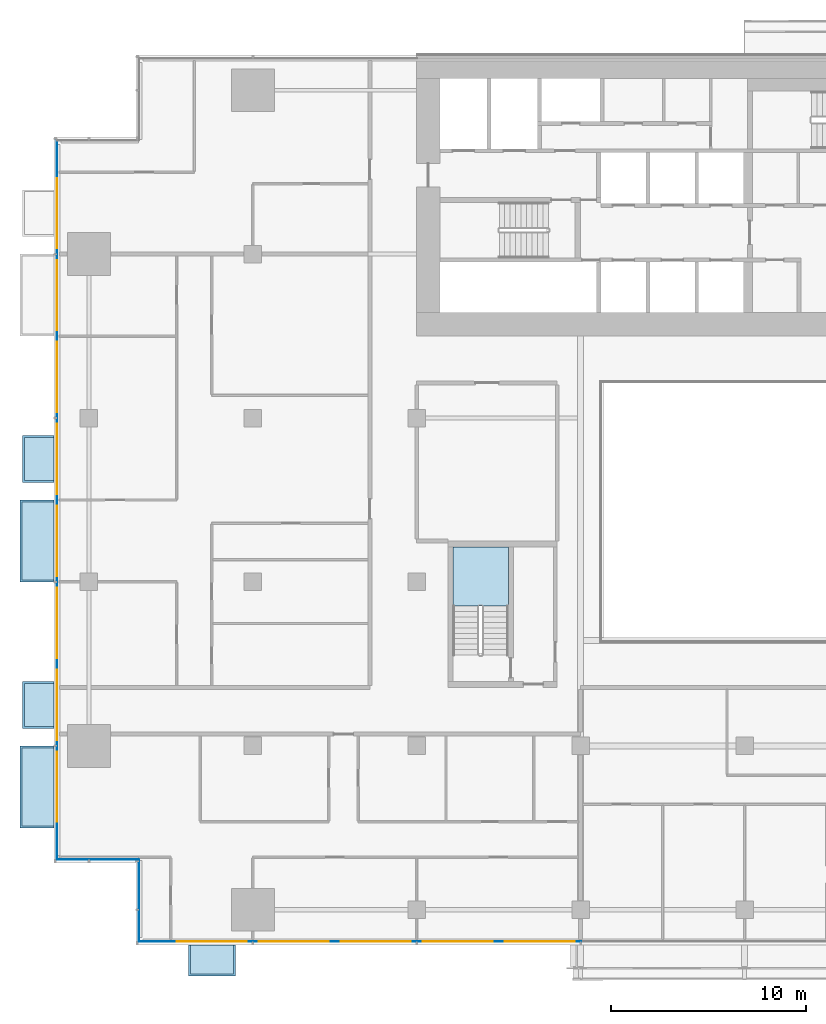
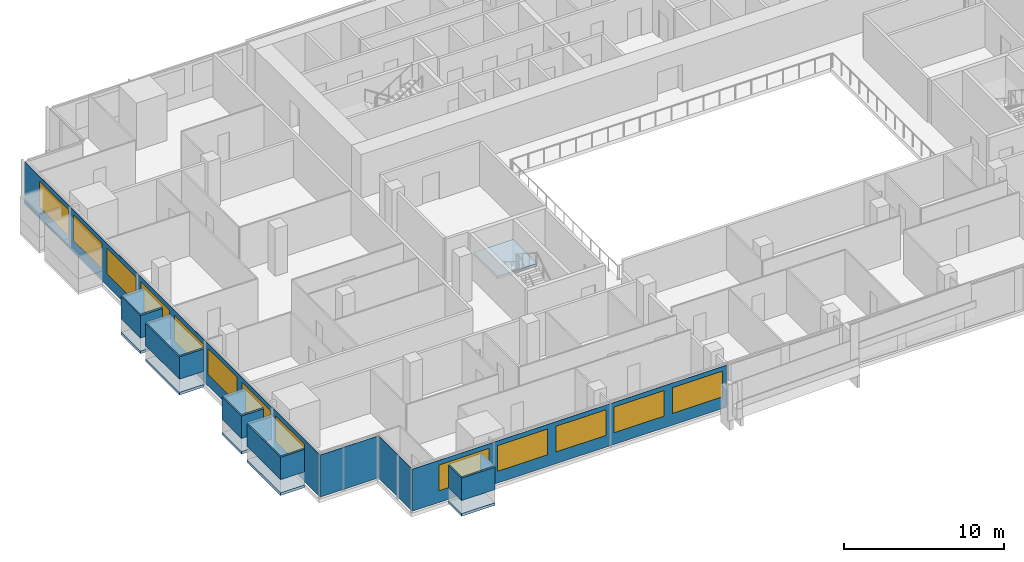
# One storey, part 14 of 27: 14 plates, 13 windows, 6 slabs, 13 openings, 5 elements without a shape of their own.
"""IFC4 building model written with IfcOpenShell, lengths in metres."""

from ifc_helpers import new_model, si_unit, direction, frame, frame_2d, origin, place, context, subcontext, project, spatial, polyline, rectangle, outline, extrude, material, layer, layer_set, type_object, element, fill, aggregate, save


model = new_model("IFC4")

# Units and contexts
model_context = context("Model", 3, precision=1e-05, world=origin(), true_north=direction((0.0, 1.0)))
body_context = subcontext(model_context, "Body", "Model", "MODEL_VIEW")
ifc_project = project(units=[si_unit("LENGTHUNIT", "METRE"), si_unit("AREAUNIT", "SQUARE_METRE"), si_unit("VOLUMEUNIT", "CUBIC_METRE"), si_unit("PLANEANGLEUNIT", "RADIAN"), si_unit("MASSUNIT", "GRAM", prefix="KILO")], contexts=[model_context])

# Site, building, storey
site_placement = place(None, origin())
site = spatial("IfcSite", under=ifc_project, at=site_placement, CompositionType="ELEMENT")
building_placement = place(site_placement, origin())
building = spatial("IfcBuilding", under=site, at=building_placement, Name="Saffron Gate Tower", CompositionType="ELEMENT")
storey_placement = place(building_placement, frame((0.0, 0.0, 40.800048828125)))
storey = spatial("IfcBuildingStorey", under=building, at=storey_placement, Name="L08", CompositionType="ELEMENT", Elevation=40.800048828125)

# Curtain wall, plate, openings, windows
ifc_material_1 = material(Name="Aluminium, bronze anodised", Category="aluminium")
curtain_wall_type_1 = type_object("IfcCurtainWallType", Name="CWS1 curtain wall front facade", PredefinedType="NOTDEFINED", material=ifc_material_1)
curtain_wall_1_placement = place(storey_placement, origin())
curtain_wall_1 = element("IfcCurtainWall", 1, at=curtain_wall_1_placement, inside=storey, type_object=curtain_wall_type_1, Name="CWS1 run 1", PredefinedType="NOTDEFINED")
ifc_material_2 = material(Name="Fritted bronze-tinted laminated glass", Category="glass")
ifc_layer_1 = layer(ifc_material_2, 0.028076171875)
ifc_layer_set_1 = layer_set([ifc_layer_1], Name="CWS1 fixed glass")
plate_type_1 = type_object("IfcPlateType", Name="CWS1 fixed glass", PredefinedType="CURTAIN_PANEL", material=ifc_layer_set_1)
plate_1_placement = place(storey_placement, frame((52.387939453125, 30.174072265625, 0.0), z_axis=(0.0, 0.0, 1.0), x_axis=(1.0, 0.0, 0.0)))
plate_1 = element("IfcPlate", 2, at=plate_1_placement, type_object=plate_type_1, Name="CWS1 glass panel", PredefinedType="CURTAIN_PANEL", context=body_context, shape_type="SweptSolid", body=[
    extrude(rectangle(XDim=22.64208984375, YDim=0.028076171875, at=frame_2d((11.321044921875, 0.0))), origin(), (0.0, 0.0, 1.0), 3.199951171875),
])
opening_1_placement = place(plate_1_placement, frame((1.912109375, 0.0, 0.89990234375)))
opening_1 = element("IfcOpeningElement", 3, at=opening_1_placement, cuts=plate_1, Name="Opening W1", PredefinedType="OPENING", context=body_context, shape_type="SweptSolid", body=[
    extrude(rectangle(XDim=3.60009765625, YDim=1.949951171875, at=frame_2d((1.800048828125, 0.97509765625))), frame((0.0, 0.02392578125, 0.0), z_axis=(0.0, -1.0, 0.0), x_axis=(1.0, 0.0, 0.0)), (0.0, 0.0, 1.0), 0.048095703125),
])
opening_2_placement = place(plate_1_placement, frame((6.112060546875, 0.0, 0.89990234375)))
opening_2 = element("IfcOpeningElement", 4, at=opening_2_placement, cuts=plate_1, Name="Opening W1", PredefinedType="OPENING", context=body_context, shape_type="SweptSolid", body=[
    extrude(rectangle(XDim=3.60009765625, YDim=1.949951171875, at=frame_2d((1.800048828125, 0.97509765625))), frame((0.0, 0.02392578125, 0.0), z_axis=(0.0, -1.0, 0.0), x_axis=(1.0, 0.0, 0.0)), (0.0, 0.0, 1.0), 0.048095703125),
])
opening_3_placement = place(plate_1_placement, frame((10.31201171875, 0.0, 0.89990234375)))
opening_3 = element("IfcOpeningElement", 5, at=opening_3_placement, cuts=plate_1, Name="Opening W1", PredefinedType="OPENING", context=body_context, shape_type="SweptSolid", body=[
    extrude(rectangle(XDim=3.60009765625, YDim=1.949951171875, at=frame_2d((1.800048828125, 0.97509765625))), frame((0.0, 0.02392578125, 0.0), z_axis=(0.0, -1.0, 0.0), x_axis=(1.0, 0.0, 0.0)), (0.0, 0.0, 1.0), 0.048095703125),
])
opening_4_placement = place(plate_1_placement, frame((14.511962890625, 0.0, 0.89990234375)))
opening_4 = element("IfcOpeningElement", 6, at=opening_4_placement, cuts=plate_1, Name="Opening W1", PredefinedType="OPENING", context=body_context, shape_type="SweptSolid", body=[
    extrude(rectangle(XDim=3.60009765625, YDim=1.949951171875, at=frame_2d((1.800048828125, 0.97509765625))), frame((0.0, 0.02392578125, 0.0), z_axis=(0.0, -1.0, 0.0), x_axis=(1.0, 0.0, 0.0)), (0.0, 0.0, 1.0), 0.048095703125),
])
opening_5_placement = place(plate_1_placement, frame((18.7119140625, 0.0, 0.89990234375)))
opening_5 = element("IfcOpeningElement", 7, at=opening_5_placement, cuts=plate_1, Name="Opening W1", PredefinedType="OPENING", context=body_context, shape_type="SweptSolid", body=[
    extrude(rectangle(XDim=3.60009765625, YDim=1.949951171875, at=frame_2d((1.800048828125, 0.97509765625))), frame((0.0, 0.02392578125, 0.0), z_axis=(0.0, -1.0, 0.0), x_axis=(1.0, 0.0, 0.0)), (0.0, 0.0, 1.0), 0.048095703125),
])
ifc_material_3 = material(Name="Fritted bronze-tinted laminated glass in bronze frame", Category="glass")
ifc_layer_2 = layer(ifc_material_3, 0.06005859375)
ifc_layer_set_2 = layer_set([ifc_layer_2], Name="W1 operable panel 3600x1950")
window_type = type_object("IfcWindowType", Name="W1 operable panel 3600x1950", PartitioningType="DOUBLE_PANEL_HORIZONTAL", PredefinedType="WINDOW", material=ifc_layer_set_2)
window_1_placement = place(opening_1_placement, origin())
window_1 = element("IfcWindow", 8, at=window_1_placement, type_object=window_type, Name="W1 operable panel", OverallHeight=1.949951171875, OverallWidth=3.60009765625, PartitioningType="SINGLE_PANEL", PredefinedType="WINDOW", context=body_context, shape_type="SweptSolid", body=[
    extrude(rectangle(XDim=3.60009765625, YDim=1.949951171875, at=frame_2d((1.800048828125, 0.97509765625))), frame((0.0, 0.013671875, 0.0), z_axis=(0.0, -1.0, 0.0), x_axis=(1.0, 0.0, 0.0)), (0.0, 0.0, 1.0), 0.027587890625),
])
fill(opening_1, window_1)
window_2_placement = place(opening_2_placement, origin())
window_2 = element("IfcWindow", 9, at=window_2_placement, type_object=window_type, Name="W1 operable panel", OverallHeight=1.949951171875, OverallWidth=3.60009765625, PartitioningType="SINGLE_PANEL", PredefinedType="WINDOW", context=body_context, shape_type="SweptSolid", body=[
    extrude(rectangle(XDim=3.60009765625, YDim=1.949951171875, at=frame_2d((1.800048828125, 0.97509765625))), frame((0.0, 0.013671875, 0.0), z_axis=(0.0, -1.0, 0.0), x_axis=(1.0, 0.0, 0.0)), (0.0, 0.0, 1.0), 0.027587890625),
])
fill(opening_2, window_2)
window_3_placement = place(opening_3_placement, origin())
window_3 = element("IfcWindow", 10, at=window_3_placement, type_object=window_type, Name="W1 operable panel", OverallHeight=1.949951171875, OverallWidth=3.60009765625, PartitioningType="SINGLE_PANEL", PredefinedType="WINDOW", context=body_context, shape_type="SweptSolid", body=[
    extrude(rectangle(XDim=3.60009765625, YDim=1.949951171875, at=frame_2d((1.800048828125, 0.97509765625))), frame((0.0, 0.013671875, 0.0), z_axis=(0.0, -1.0, 0.0), x_axis=(1.0, 0.0, 0.0)), (0.0, 0.0, 1.0), 0.027587890625),
])
fill(opening_3, window_3)
window_4_placement = place(opening_4_placement, origin())
window_4 = element("IfcWindow", 11, at=window_4_placement, type_object=window_type, Name="W1 operable panel", OverallHeight=1.949951171875, OverallWidth=3.60009765625, PartitioningType="SINGLE_PANEL", PredefinedType="WINDOW", context=body_context, shape_type="SweptSolid", body=[
    extrude(rectangle(XDim=3.60009765625, YDim=1.949951171875, at=frame_2d((1.800048828125, 0.97509765625))), frame((0.0, 0.013671875, 0.0), z_axis=(0.0, -1.0, 0.0), x_axis=(1.0, 0.0, 0.0)), (0.0, 0.0, 1.0), 0.027587890625),
])
fill(opening_4, window_4)
window_5_placement = place(opening_5_placement, origin())
window_5 = element("IfcWindow", 12, at=window_5_placement, type_object=window_type, Name="W1 operable panel", OverallHeight=1.949951171875, OverallWidth=3.60009765625, PartitioningType="SINGLE_PANEL", PredefinedType="WINDOW", context=body_context, shape_type="SweptSolid", body=[
    extrude(rectangle(XDim=3.60009765625, YDim=1.949951171875, at=frame_2d((1.800048828125, 0.97509765625))), frame((0.0, 0.013671875, 0.0), z_axis=(0.0, -1.0, 0.0), x_axis=(1.0, 0.0, 0.0)), (0.0, 0.0, 1.0), 0.027587890625),
])
fill(opening_5, window_5)
aggregate(curtain_wall_1, [plate_1, window_1, window_2, window_3, window_4, window_5])

curtain_wall_type_2 = type_object("IfcCurtainWallType", Name="CWS2 curtain wall side facades", PredefinedType="NOTDEFINED", material=ifc_material_1)
curtain_wall_2_placement = place(storey_placement, origin())
curtain_wall_2 = element("IfcCurtainWall", 13, at=curtain_wall_2_placement, inside=storey, type_object=curtain_wall_type_2, Name="CWS2 run 10", PredefinedType="NOTDEFINED")
ifc_layer_3 = layer(ifc_material_2, 0.028076171875)
ifc_layer_set_3 = layer_set([ifc_layer_3], Name="CWS2 fixed glass")
plate_type_2 = type_object("IfcPlateType", Name="CWS2 fixed glass", PredefinedType="CURTAIN_PANEL", material=ifc_layer_set_3)
plate_2_placement = place(storey_placement, frame((48.174072265625, 71.2119140625, 0.0), z_axis=(0.0, 0.0, 1.0), x_axis=(0.0, -1.0, 0.0)))
plate_2 = element("IfcPlate", 14, at=plate_2_placement, type_object=plate_type_2, Name="CWS2 glass panel", PredefinedType="CURTAIN_PANEL", context=body_context, shape_type="SweptSolid", body=[
    extrude(rectangle(XDim=36.823974609375, YDim=0.028076171875, at=frame_2d((18.412109375, 0.0))), origin(), (0.0, 0.0, 1.0), 3.199951171875),
])
opening_6_placement = place(plate_2_placement, frame((1.912109375, 0.0, 0.89990234375)))
opening_6 = element("IfcOpeningElement", 15, at=opening_6_placement, cuts=plate_2, Name="Opening W1", PredefinedType="OPENING", context=body_context, shape_type="SweptSolid", body=[
    extrude(rectangle(XDim=3.60009765625, YDim=1.949951171875, at=frame_2d((1.800048828125, 0.97509765625))), frame((0.0, 0.02392578125, 0.0), z_axis=(0.0, -1.0, 0.0), x_axis=(1.0, 0.0, 0.0)), (0.0, 0.0, 1.0), 0.048095703125),
])
opening_7_placement = place(plate_2_placement, frame((6.112060546875, 0.0, 0.89990234375)))
opening_7 = element("IfcOpeningElement", 16, at=opening_7_placement, cuts=plate_2, Name="Opening W1", PredefinedType="OPENING", context=body_context, shape_type="SweptSolid", body=[
    extrude(rectangle(XDim=3.60009765625, YDim=1.949951171875, at=frame_2d((1.800048828125, 0.97509765625))), frame((0.0, 0.02392578125, 0.0), z_axis=(0.0, -1.0, 0.0), x_axis=(1.0, 0.0, 0.0)), (0.0, 0.0, 1.0), 0.048095703125),
])
opening_8_placement = place(plate_2_placement, frame((10.31201171875, 0.0, 0.89990234375)))
opening_8 = element("IfcOpeningElement", 17, at=opening_8_placement, cuts=plate_2, Name="Opening W1", PredefinedType="OPENING", context=body_context, shape_type="SweptSolid", body=[
    extrude(rectangle(XDim=3.60009765625, YDim=1.949951171875, at=frame_2d((1.800048828125, 0.97509765625))), frame((0.0, 0.02392578125, 0.0), z_axis=(0.0, -1.0, 0.0), x_axis=(1.0, 0.0, 0.0)), (0.0, 0.0, 1.0), 0.048095703125),
])
opening_9_placement = place(plate_2_placement, frame((14.511962890625, 0.0, 0.89990234375)))
opening_9 = element("IfcOpeningElement", 18, at=opening_9_placement, cuts=plate_2, Name="Opening W1", PredefinedType="OPENING", context=body_context, shape_type="SweptSolid", body=[
    extrude(rectangle(XDim=3.60009765625, YDim=1.949951171875, at=frame_2d((1.800048828125, 0.97509765625))), frame((0.0, 0.02392578125, 0.0), z_axis=(0.0, -1.0, 0.0), x_axis=(1.0, 0.0, 0.0)), (0.0, 0.0, 1.0), 0.048095703125),
])
opening_10_placement = place(plate_2_placement, frame((18.7119140625, 0.0, 0.89990234375)))
opening_10 = element("IfcOpeningElement", 19, at=opening_10_placement, cuts=plate_2, Name="Opening W1", PredefinedType="OPENING", context=body_context, shape_type="SweptSolid", body=[
    extrude(rectangle(XDim=3.60009765625, YDim=1.949951171875, at=frame_2d((1.800048828125, 0.97509765625))), frame((0.0, 0.02392578125, 0.0), z_axis=(0.0, -1.0, 0.0), x_axis=(1.0, 0.0, 0.0)), (0.0, 0.0, 1.0), 0.048095703125),
])
opening_11_placement = place(plate_2_placement, frame((22.912109375, 0.0, 0.89990234375)))
opening_11 = element("IfcOpeningElement", 20, at=opening_11_placement, cuts=plate_2, Name="Opening W1", PredefinedType="OPENING", context=body_context, shape_type="SweptSolid", body=[
    extrude(rectangle(XDim=3.60009765625, YDim=1.949951171875, at=frame_2d((1.800048828125, 0.97509765625))), frame((0.0, 0.02392578125, 0.0), z_axis=(0.0, -1.0, 0.0), x_axis=(1.0, 0.0, 0.0)), (0.0, 0.0, 1.0), 0.048095703125),
])
opening_12_placement = place(plate_2_placement, frame((27.112060546875, 0.0, 0.89990234375)))
opening_12 = element("IfcOpeningElement", 21, at=opening_12_placement, cuts=plate_2, Name="Opening W1", PredefinedType="OPENING", context=body_context, shape_type="SweptSolid", body=[
    extrude(rectangle(XDim=3.60009765625, YDim=1.949951171875, at=frame_2d((1.800048828125, 0.97509765625))), frame((0.0, 0.02392578125, 0.0), z_axis=(0.0, -1.0, 0.0), x_axis=(1.0, 0.0, 0.0)), (0.0, 0.0, 1.0), 0.048095703125),
])
opening_13_placement = place(plate_2_placement, frame((31.31201171875, 0.0, 0.89990234375)))
opening_13 = element("IfcOpeningElement", 22, at=opening_13_placement, cuts=plate_2, Name="Opening W1", PredefinedType="OPENING", context=body_context, shape_type="SweptSolid", body=[
    extrude(rectangle(XDim=3.60009765625, YDim=1.949951171875, at=frame_2d((1.800048828125, 0.97509765625))), frame((0.0, 0.02392578125, 0.0), z_axis=(0.0, -1.0, 0.0), x_axis=(1.0, 0.0, 0.0)), (0.0, 0.0, 1.0), 0.048095703125),
])
window_6_placement = place(opening_6_placement, origin())
window_6 = element("IfcWindow", 23, at=window_6_placement, type_object=window_type, Name="W1 operable panel", OverallHeight=1.949951171875, OverallWidth=3.60009765625, PartitioningType="SINGLE_PANEL", PredefinedType="WINDOW", context=body_context, shape_type="SweptSolid", body=[
    extrude(rectangle(XDim=3.60009765625, YDim=1.949951171875, at=frame_2d((1.800048828125, 0.97509765625))), frame((0.0, 0.013671875, 0.0), z_axis=(0.0, -1.0, 0.0), x_axis=(1.0, 0.0, 0.0)), (0.0, 0.0, 1.0), 0.027587890625),
])
fill(opening_6, window_6)
window_7_placement = place(opening_7_placement, origin())
window_7 = element("IfcWindow", 24, at=window_7_placement, type_object=window_type, Name="W1 operable panel", OverallHeight=1.949951171875, OverallWidth=3.60009765625, PartitioningType="SINGLE_PANEL", PredefinedType="WINDOW", context=body_context, shape_type="SweptSolid", body=[
    extrude(rectangle(XDim=3.60009765625, YDim=1.949951171875, at=frame_2d((1.800048828125, 0.97509765625))), frame((0.0, 0.013671875, 0.0), z_axis=(0.0, -1.0, 0.0), x_axis=(1.0, 0.0, 0.0)), (0.0, 0.0, 1.0), 0.027587890625),
])
fill(opening_7, window_7)
window_8_placement = place(opening_8_placement, origin())
window_8 = element("IfcWindow", 25, at=window_8_placement, type_object=window_type, Name="W1 operable panel", OverallHeight=1.949951171875, OverallWidth=3.60009765625, PartitioningType="SINGLE_PANEL", PredefinedType="WINDOW", context=body_context, shape_type="SweptSolid", body=[
    extrude(rectangle(XDim=3.60009765625, YDim=1.949951171875, at=frame_2d((1.800048828125, 0.97509765625))), frame((0.0, 0.013671875, 0.0), z_axis=(0.0, -1.0, 0.0), x_axis=(1.0, 0.0, 0.0)), (0.0, 0.0, 1.0), 0.027587890625),
])
fill(opening_8, window_8)
window_9_placement = place(opening_9_placement, origin())
window_9 = element("IfcWindow", 26, at=window_9_placement, type_object=window_type, Name="W1 operable panel", OverallHeight=1.949951171875, OverallWidth=3.60009765625, PartitioningType="SINGLE_PANEL", PredefinedType="WINDOW", context=body_context, shape_type="SweptSolid", body=[
    extrude(rectangle(XDim=3.60009765625, YDim=1.949951171875, at=frame_2d((1.800048828125, 0.97509765625))), frame((0.0, 0.013671875, 0.0), z_axis=(0.0, -1.0, 0.0), x_axis=(1.0, 0.0, 0.0)), (0.0, 0.0, 1.0), 0.027587890625),
])
fill(opening_9, window_9)
window_10_placement = place(opening_10_placement, origin())
window_10 = element("IfcWindow", 27, at=window_10_placement, type_object=window_type, Name="W1 operable panel", OverallHeight=1.949951171875, OverallWidth=3.60009765625, PartitioningType="SINGLE_PANEL", PredefinedType="WINDOW", context=body_context, shape_type="SweptSolid", body=[
    extrude(rectangle(XDim=3.60009765625, YDim=1.949951171875, at=frame_2d((1.800048828125, 0.97509765625))), frame((0.0, 0.013671875, 0.0), z_axis=(0.0, -1.0, 0.0), x_axis=(1.0, 0.0, 0.0)), (0.0, 0.0, 1.0), 0.027587890625),
])
fill(opening_10, window_10)
window_11_placement = place(opening_11_placement, origin())
window_11 = element("IfcWindow", 28, at=window_11_placement, type_object=window_type, Name="W1 operable panel", OverallHeight=1.949951171875, OverallWidth=3.60009765625, PartitioningType="SINGLE_PANEL", PredefinedType="WINDOW", context=body_context, shape_type="SweptSolid", body=[
    extrude(rectangle(XDim=3.60009765625, YDim=1.949951171875, at=frame_2d((1.800048828125, 0.97509765625))), frame((0.0, 0.013671875, 0.0), z_axis=(0.0, -1.0, 0.0), x_axis=(1.0, 0.0, 0.0)), (0.0, 0.0, 1.0), 0.027587890625),
])
fill(opening_11, window_11)
window_12_placement = place(opening_12_placement, origin())
window_12 = element("IfcWindow", 29, at=window_12_placement, type_object=window_type, Name="W1 operable panel", OverallHeight=1.949951171875, OverallWidth=3.60009765625, PartitioningType="SINGLE_PANEL", PredefinedType="WINDOW", context=body_context, shape_type="SweptSolid", body=[
    extrude(rectangle(XDim=3.60009765625, YDim=1.949951171875, at=frame_2d((1.800048828125, 0.97509765625))), frame((0.0, 0.013671875, 0.0), z_axis=(0.0, -1.0, 0.0), x_axis=(1.0, 0.0, 0.0)), (0.0, 0.0, 1.0), 0.027587890625),
])
fill(opening_12, window_12)
window_13_placement = place(opening_13_placement, origin())
window_13 = element("IfcWindow", 30, at=window_13_placement, type_object=window_type, Name="W1 operable panel", OverallHeight=1.949951171875, OverallWidth=3.60009765625, PartitioningType="SINGLE_PANEL", PredefinedType="WINDOW", context=body_context, shape_type="SweptSolid", body=[
    extrude(rectangle(XDim=3.60009765625, YDim=1.949951171875, at=frame_2d((1.800048828125, 0.97509765625))), frame((0.0, 0.013671875, 0.0), z_axis=(0.0, -1.0, 0.0), x_axis=(1.0, 0.0, 0.0)), (0.0, 0.0, 1.0), 0.027587890625),
])
fill(opening_13, window_13)
aggregate(curtain_wall_2, [plate_2, window_6, window_7, window_8, window_9, window_10, window_11, window_12, window_13])

# Curtain wall, plate
curtain_wall_type_3 = type_object("IfcCurtainWallType", Name="CWS4 curtain wall corner returns", PredefinedType="NOTDEFINED", material=ifc_material_1)
curtain_wall_3_placement = place(storey_placement, origin())
curtain_wall_3 = element("IfcCurtainWall", 31, at=curtain_wall_3_placement, inside=storey, type_object=curtain_wall_type_3, Name="CWS4 run 11", PredefinedType="NOTDEFINED")
ifc_layer_4 = layer(ifc_material_2, 0.028076171875)
ifc_layer_set_4 = layer_set([ifc_layer_4], Name="CWS4 fixed glass")
plate_type_3 = type_object("IfcPlateType", Name="CWS4 fixed glass", PredefinedType="CURTAIN_PANEL", material=ifc_layer_set_4)
plate_3_placement = place(storey_placement, frame((48.18798828125, 34.3740234375, 0.0), z_axis=(0.0, 0.0, 1.0), x_axis=(1.0, 0.0, 0.0)))
plate_3 = element("IfcPlate", 32, at=plate_3_placement, type_object=plate_type_3, Name="CWS4 glass panel", PredefinedType="CURTAIN_PANEL", context=body_context, shape_type="SweptSolid", body=[
    extrude(rectangle(XDim=4.172119140625, YDim=0.028076171875, at=frame_2d((2.0859375, 0.0))), origin(), (0.0, 0.0, 1.0), 3.199951171875),
])
aggregate(curtain_wall_3, [plate_3])

curtain_wall_4_placement = place(storey_placement, origin())
curtain_wall_4 = element("IfcCurtainWall", 33, at=curtain_wall_4_placement, inside=storey, type_object=curtain_wall_type_3, Name="CWS4 run 12", PredefinedType="NOTDEFINED")
plate_4_placement = place(storey_placement, frame((52.3740234375, 34.360107421875, 0.0), z_axis=(0.0, 0.0, 1.0), x_axis=(0.0, -1.0, 0.0)))
plate_4 = element("IfcPlate", 34, at=plate_4_placement, type_object=plate_type_3, Name="CWS4 glass panel", PredefinedType="CURTAIN_PANEL", context=body_context, shape_type="SweptSolid", body=[
    extrude(rectangle(XDim=4.172119140625, YDim=0.028076171875, at=frame_2d((2.0859375, 0.0))), origin(), (0.0, 0.0, 1.0), 3.199951171875),
])
aggregate(curtain_wall_4, [plate_4])

# Stair, slab
ifc_material_4 = material(Name="Concrete C40", Category="concrete")
stair_type = type_object("IfcStairType", Name="ST7 Stair 1350 wide, 20 risers of 180", PredefinedType="HALF_TURN_STAIR", material=ifc_material_4)
stair_placement = place(storey_placement, origin())
stair = element("IfcStair", 35, at=stair_placement, inside=storey, type_object=stair_type, Name="L08 Exit stair D", PredefinedType="HALF_TURN_STAIR")
ifc_layer_5 = layer(ifc_material_4, 0.199951171875)
ifc_layer_set_5 = layer_set([ifc_layer_5], Name="SL1 Stair landing 200")
slab_type_1 = type_object("IfcSlabType", Name="SL1 Stair landing 200", PredefinedType="LANDING", material=ifc_layer_set_5)
slab_1_placement = place(storey_placement, frame((0.0, 0.0, 1.599853515625)))
slab_1 = element("IfcSlab", 36, at=slab_1_placement, type_object=slab_type_1, Name="ST-D landing 1", PredefinedType="LANDING", context=body_context, shape_type="SweptSolid", body=[
    extrude(outline(polyline([(71.300048828125, 47.3701171875), (71.300048828125, 50.39990234375), (68.449951171875, 50.39990234375), (68.449951171875, 47.3701171875), (71.300048828125, 47.3701171875)])), origin(), (0.0, 0.0, 1.0), 0.2001953125),
])
aggregate(stair, [slab_1])

# Slabs
ifc_material_5 = material(Name="Timber deck on bronze frame", Category="wood")
ifc_layer_6 = layer(ifc_material_5, 0.199951171875)
ifc_layer_set_6 = layer_set([ifc_layer_6], Name="WB1 box floor")
slab_type_2 = type_object("IfcSlabType", Name="WB1 box floor", PredefinedType="FLOOR", material=ifc_layer_set_6)
slab_2_placement = place(storey_placement, frame((0.0, 0.0, -0.199951171875)))
element("IfcSlab", 37, at=slab_2_placement, inside=storey, type_object=slab_type_2, Name="WINDOW BOX floor", PredefinedType="FLOOR", context=body_context, shape_type="SweptSolid", body=[
    extrude(outline(polyline([(54.89990234375, 30.0), (57.300048828125, 30.0), (57.300048828125, 28.39990234375), (54.89990234375, 28.39990234375), (54.89990234375, 30.0)])), origin(), (0.0, 0.0, 1.0), 0.199951171875),
])
slab_3_placement = place(storey_placement, frame((0.0, 0.0, -0.199951171875)))
element("IfcSlab", 38, at=slab_3_placement, inside=storey, type_object=slab_type_2, Name="WINDOW BOX floor", PredefinedType="FLOOR", context=body_context, shape_type="SweptSolid", body=[
    extrude(outline(polyline([(48.0, 56.10009765625), (48.0, 53.699951171875), (46.39990234375, 53.699951171875), (46.39990234375, 56.10009765625), (48.0, 56.10009765625)])), origin(), (0.0, 0.0, 1.0), 0.199951171875),
])
slab_4_placement = place(storey_placement, frame((0.0, 0.0, -0.199951171875)))
element("IfcSlab", 39, at=slab_4_placement, inside=storey, type_object=slab_type_2, Name="WINDOW BOX floor", PredefinedType="FLOOR", context=body_context, shape_type="SweptSolid", body=[
    extrude(outline(polyline([(48.0, 52.800048828125), (48.0, 48.60009765625), (46.26708984375, 48.60009765625), (46.26708984375, 52.800048828125), (48.0, 52.800048828125)])), origin(), (0.0, 0.0, 1.0), 0.199951171875),
])
slab_5_placement = place(storey_placement, frame((0.0, 0.0, -0.199951171875)))
element("IfcSlab", 40, at=slab_5_placement, inside=storey, type_object=slab_type_2, Name="WINDOW BOX floor", PredefinedType="FLOOR", context=body_context, shape_type="SweptSolid", body=[
    extrude(outline(polyline([(48.0, 43.5), (48.0, 41.10009765625), (46.39990234375, 41.10009765625), (46.39990234375, 43.5), (48.0, 43.5)])), origin(), (0.0, 0.0, 1.0), 0.199951171875),
])
slab_6_placement = place(storey_placement, frame((0.0, 0.0, -0.199951171875)))
element("IfcSlab", 41, at=slab_6_placement, inside=storey, type_object=slab_type_2, Name="WINDOW BOX floor", PredefinedType="FLOOR", context=body_context, shape_type="SweptSolid", body=[
    extrude(outline(polyline([(48.0, 40.199951171875), (48.0, 36.0), (46.26708984375, 36.0), (46.26708984375, 40.199951171875), (48.0, 40.199951171875)])), origin(), (0.0, 0.0, 1.0), 0.199951171875),
])

# Plates
ifc_layer_7 = layer(ifc_material_1, 0.1201171875)
ifc_layer_set_7 = layer_set([ifc_layer_7], Name="WB2 box roof")
plate_type_4 = type_object("IfcPlateType", Name="WB2 box roof", PredefinedType="SHEET", material=ifc_layer_set_7)
plate_5_placement = place(storey_placement, frame((0.0, 0.0, 2.699951171875)))
element("IfcPlate", 42, at=plate_5_placement, inside=storey, type_object=plate_type_4, Name="WINDOW BOX roof", PredefinedType="SHEET", context=body_context, shape_type="SweptSolid", body=[
    extrude(outline(polyline([(54.89990234375, 30.0), (57.300048828125, 30.0), (57.300048828125, 28.39990234375), (54.89990234375, 28.39990234375), (54.89990234375, 30.0)])), origin(), (0.0, 0.0, 1.0), 0.1201171875),
])
plate_6_placement = place(storey_placement, frame((0.0, 0.0, 2.699951171875)))
element("IfcPlate", 43, at=plate_6_placement, inside=storey, type_object=plate_type_4, Name="WINDOW BOX roof", PredefinedType="SHEET", context=body_context, shape_type="SweptSolid", body=[
    extrude(outline(polyline([(48.0, 56.10009765625), (48.0, 53.699951171875), (46.39990234375, 53.699951171875), (46.39990234375, 56.10009765625), (48.0, 56.10009765625)])), origin(), (0.0, 0.0, 1.0), 0.1201171875),
])
plate_7_placement = place(storey_placement, frame((0.0, 0.0, 2.699951171875)))
element("IfcPlate", 44, at=plate_7_placement, inside=storey, type_object=plate_type_4, Name="WINDOW BOX roof", PredefinedType="SHEET", context=body_context, shape_type="SweptSolid", body=[
    extrude(outline(polyline([(48.0, 52.800048828125), (48.0, 48.60009765625), (46.26708984375, 48.60009765625), (46.26708984375, 52.800048828125), (48.0, 52.800048828125)])), origin(), (0.0, 0.0, 1.0), 0.1201171875),
])
plate_8_placement = place(storey_placement, frame((0.0, 0.0, 2.699951171875)))
element("IfcPlate", 45, at=plate_8_placement, inside=storey, type_object=plate_type_4, Name="WINDOW BOX roof", PredefinedType="SHEET", context=body_context, shape_type="SweptSolid", body=[
    extrude(outline(polyline([(48.0, 43.5), (48.0, 41.10009765625), (46.39990234375, 41.10009765625), (46.39990234375, 43.5), (48.0, 43.5)])), origin(), (0.0, 0.0, 1.0), 0.1201171875),
])
plate_9_placement = place(storey_placement, frame((0.0, 0.0, 2.699951171875)))
element("IfcPlate", 46, at=plate_9_placement, inside=storey, type_object=plate_type_4, Name="WINDOW BOX roof", PredefinedType="SHEET", context=body_context, shape_type="SweptSolid", body=[
    extrude(outline(polyline([(48.0, 40.199951171875), (48.0, 36.0), (46.26708984375, 36.0), (46.26708984375, 40.199951171875), (48.0, 40.199951171875)])), origin(), (0.0, 0.0, 1.0), 0.1201171875),
])
ifc_material_6 = material(Name="Clear low-iron laminated glass", Category="glass")
ifc_layer_8 = layer(ifc_material_6, 0.10009765625)
ifc_layer_set_8 = layer_set([ifc_layer_8], Name="WB6 box glazing")
plate_type_5 = type_object("IfcPlateType", Name="WB6 box glazing", PredefinedType="SHEET", material=ifc_layer_set_8)
plate_10_placement = place(storey_placement, frame((0.0, 0.0, 1.0)))
element("IfcPlate", 47, at=plate_10_placement, inside=storey, type_object=plate_type_5, Name="WINDOW BOX glazing", PredefinedType="SHEET", context=body_context, shape_type="SweptSolid", body=[
    extrude(outline(polyline([(54.89990234375, 30.0), (55.0, 30.0), (55.0, 28.5), (57.199951171875, 28.5), (57.199951171875, 30.0), (57.300048828125, 30.0), (57.300048828125, 28.39990234375), (54.89990234375, 28.39990234375), (54.89990234375, 30.0)])), origin(), (0.0, 0.0, 1.0), 1.699951171875),
])
plate_11_placement = place(storey_placement, frame((0.0, 0.0, 1.0)))
element("IfcPlate", 48, at=plate_11_placement, inside=storey, type_object=plate_type_5, Name="WINDOW BOX glazing", PredefinedType="SHEET", context=body_context, shape_type="SweptSolid", body=[
    extrude(outline(polyline([(48.0, 56.10009765625), (48.0, 56.0), (46.5, 56.0), (46.5, 53.800048828125), (48.0, 53.800048828125), (48.0, 53.699951171875), (46.39990234375, 53.699951171875), (46.39990234375, 56.10009765625), (48.0, 56.10009765625)])), origin(), (0.0, 0.0, 1.0), 1.699951171875),
])
plate_12_placement = place(storey_placement, frame((0.0, 0.0, 1.0)))
element("IfcPlate", 49, at=plate_12_placement, inside=storey, type_object=plate_type_5, Name="WINDOW BOX glazing", PredefinedType="SHEET", context=body_context, shape_type="SweptSolid", body=[
    extrude(outline(polyline([(48.0, 52.800048828125), (48.0, 52.699951171875), (46.366943359375, 52.699951171875), (46.366943359375, 48.699951171875), (48.0, 48.699951171875), (48.0, 48.60009765625), (46.26708984375, 48.60009765625), (46.26708984375, 52.800048828125), (48.0, 52.800048828125)])), origin(), (0.0, 0.0, 1.0), 1.699951171875),
])
plate_13_placement = place(storey_placement, frame((0.0, 0.0, 1.0)))
element("IfcPlate", 50, at=plate_13_placement, inside=storey, type_object=plate_type_5, Name="WINDOW BOX glazing", PredefinedType="SHEET", context=body_context, shape_type="SweptSolid", body=[
    extrude(outline(polyline([(48.0, 43.5), (48.0, 43.39990234375), (46.5, 43.39990234375), (46.5, 41.199951171875), (48.0, 41.199951171875), (48.0, 41.10009765625), (46.39990234375, 41.10009765625), (46.39990234375, 43.5), (48.0, 43.5)])), origin(), (0.0, 0.0, 1.0), 1.699951171875),
])
plate_14_placement = place(storey_placement, frame((0.0, 0.0, 1.0)))
element("IfcPlate", 51, at=plate_14_placement, inside=storey, type_object=plate_type_5, Name="WINDOW BOX glazing", PredefinedType="SHEET", context=body_context, shape_type="SweptSolid", body=[
    extrude(outline(polyline([(48.0, 40.199951171875), (48.0, 40.10009765625), (46.366943359375, 40.10009765625), (46.366943359375, 36.10009765625), (48.0, 36.10009765625), (48.0, 36.0), (46.26708984375, 36.0), (46.26708984375, 40.199951171875), (48.0, 40.199951171875)])), origin(), (0.0, 0.0, 1.0), 1.699951171875),
])

save(model, "model.ifc")
